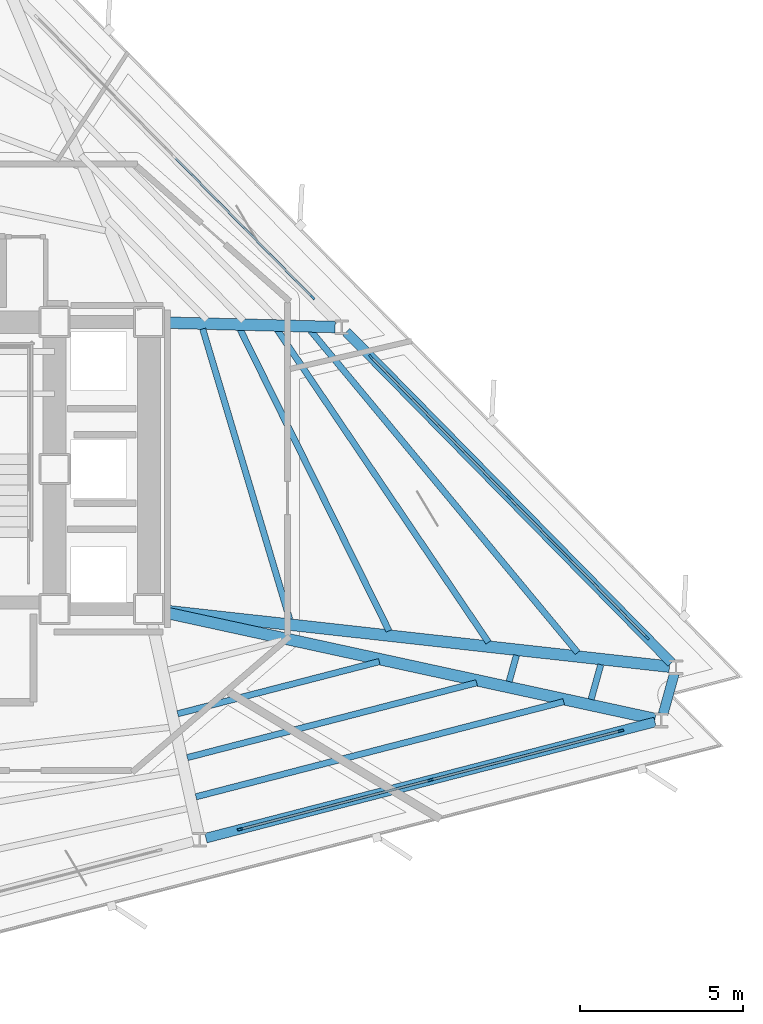
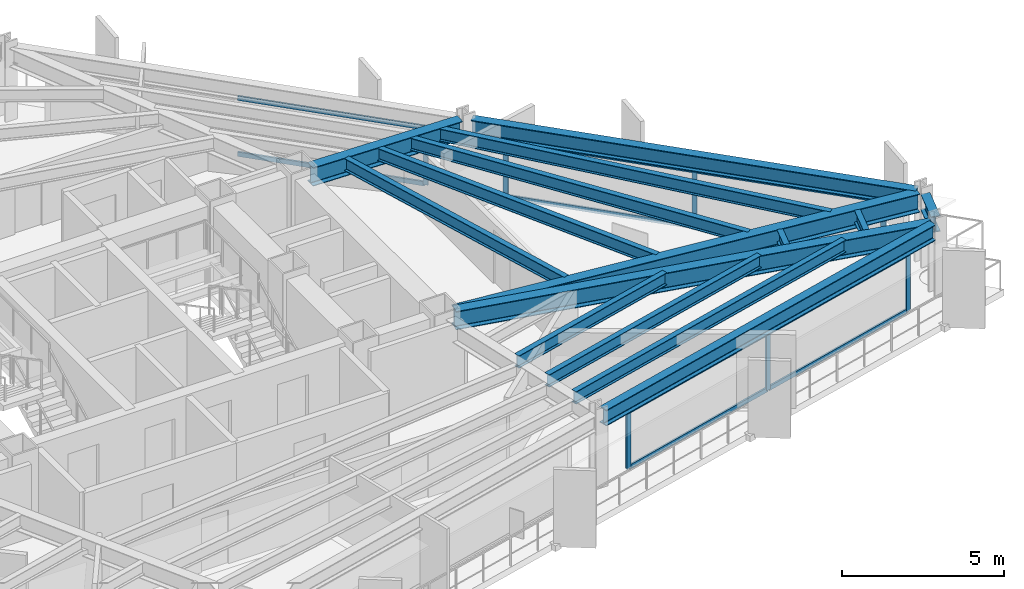
# One storey, part 4 of 11: 17 members, 15 beams, 3 elements without a shape of their own.
"""IFC4 building model written with IfcOpenShell, lengths in metres."""

from ifc_helpers import new_model, si_unit, direction, frame, origin, origin_2d, place, context, subcontext, project, spatial, rectangle, i_section, extrude, material, layer, layer_set, material_profile, profile_set, type_object, element, aggregate, save


model = new_model("IFC4")

# Units and contexts
model_context = context("Model", 3, precision=1e-05, world=origin(), true_north=direction((0.0, 1.0)))
body_context = subcontext(model_context, "Body", "Model", "MODEL_VIEW")
ifc_project = project(units=[si_unit("LENGTHUNIT", "METRE"), si_unit("AREAUNIT", "SQUARE_METRE"), si_unit("VOLUMEUNIT", "CUBIC_METRE"), si_unit("PLANEANGLEUNIT", "RADIAN"), si_unit("MASSUNIT", "GRAM", prefix="KILO")], contexts=[model_context])

# Site, building, storey
site_placement = place(None, origin())
site = spatial("IfcSite", under=ifc_project, at=site_placement, CompositionType="ELEMENT")
building_placement = place(site_placement, origin())
building = spatial("IfcBuilding", under=site, at=building_placement, Name="Rocaltana Carrier Exchange", CompositionType="ELEMENT")
storey_placement = place(building_placement, frame((0.0, 0.0, 82.56005859375)))
storey = spatial("IfcBuildingStorey", under=building, at=storey_placement, Name="L25", CompositionType="ELEMENT", Elevation=82.56005859375)

# Curtain wall, members
ifc_material_1 = material(Name="Aluminium 6063-T6", Category="aluminium")
ifc_layer = layer(ifc_material_1, 0.1650390625)
ifc_layer_set = layer_set([ifc_layer], Name="Aluminium 6063-T6")
curtain_wall_type = type_object("IfcCurtainWallType", Name="Lower-Mid Stepped Curtain Wall CW-02", PredefinedType="NOTDEFINED", material=ifc_layer_set)
curtain_wall_1_placement = place(storey_placement, origin())
curtain_wall_1 = element("IfcCurtainWall", 1, at=curtain_wall_1_placement, inside=storey, type_object=curtain_wall_type, Name="L25 CW-02 Run CW-L25-F1S1", PredefinedType="NOTDEFINED")
ifc_material_2 = material(Name="Aluminium 6063-T6", Category="aluminium")
ifc_material_profile_1 = material_profile(ifc_material_2, rectangle(XDim=0.06494140625, YDim=0.1650390625, at=origin_2d()), Name="AL-65X165")
ifc_profile_set_1 = profile_set([ifc_material_profile_1], Name="Aluminium 6063-T6")
member_type_1 = type_object("IfcMemberType", Name="CW-02 Mullion AL-65X165", PredefinedType="MULLION", material=ifc_profile_set_1)
member_1_placement = place(storey_placement, frame((24.21875, -5.1767578125, 0.0), z_axis=(0.0, 0.0, 1.0), x_axis=(-0.713244767898, -0.700915045542, 0.0)))
member_1 = element("IfcMember", 2, at=member_1_placement, type_object=member_type_1, Name="CW-02 mullion 1", PredefinedType="MULLION", context=body_context, shape_type="SweptSolid", body=[
    extrude(rectangle(XDim=0.06494140625, YDim=0.1650390625, at=origin_2d()), origin(), (0.0, 0.0, 1.0), 2.16796875),
])
member_2_placement = place(storey_placement, frame((19.989501953125, -0.872802734375, 0.0), z_axis=(0.0, 0.0, 1.0), x_axis=(-0.713244767898, -0.700915045542, 0.0)))
member_2 = element("IfcMember", 3, at=member_2_placement, type_object=member_type_1, Name="CW-02 mullion 2", PredefinedType="MULLION", context=body_context, shape_type="SweptSolid", body=[
    extrude(rectangle(XDim=0.06494140625, YDim=0.1650390625, at=origin_2d()), origin(), (0.0, 0.0, 1.0), 2.16796875),
])
member_3_placement = place(storey_placement, frame((15.760009765625, 3.430908203125, 0.0), z_axis=(0.0, 0.0, 1.0), x_axis=(-0.713244767898, -0.700915045542, 0.0)))
member_3 = element("IfcMember", 4, at=member_3_placement, type_object=member_type_1, Name="CW-02 mullion 3", PredefinedType="MULLION", context=body_context, shape_type="SweptSolid", body=[
    extrude(rectangle(XDim=0.06494140625, YDim=0.1650390625, at=origin_2d()), origin(), (0.0, 0.0, 1.0), 2.16796875),
])

# Curtain wall, member
curtain_wall_2_placement = place(storey_placement, origin())
curtain_wall_2 = element("IfcCurtainWall", 5, at=curtain_wall_2_placement, inside=storey, type_object=curtain_wall_type, Name="L25 CW-02 Run CW-L25-F1S2", PredefinedType="NOTDEFINED")
member_4_placement = place(storey_placement, frame((13.962158203125, 5.260498046875, 0.0), z_axis=(0.0, 0.0, 1.0), x_axis=(-0.713244696676, -0.700915118017, 0.0)))
member_4 = element("IfcMember", 6, at=member_4_placement, type_object=member_type_1, Name="CW-02 mullion 1", PredefinedType="MULLION", context=body_context, shape_type="SweptSolid", body=[
    extrude(rectangle(XDim=0.06494140625, YDim=0.1650390625, at=origin_2d()), origin(), (0.0, 0.0, 1.0), 2.16796875),
])

# Curtain wall, members
curtain_wall_3_placement = place(storey_placement, origin())
curtain_wall_3 = element("IfcCurtainWall", 7, at=curtain_wall_3_placement, inside=storey, type_object=curtain_wall_type, Name="L25 CW-02 Run CW-L25-F3S3", PredefinedType="NOTDEFINED")
member_5_placement = place(storey_placement, frame((11.741943359375, -11.057861328125, 0.0), z_axis=(0.0, 0.0, 1.0), x_axis=(-0.250370035526, 0.96815021836, 0.0)))
member_5 = element("IfcMember", 8, at=member_5_placement, type_object=member_type_1, Name="CW-02 mullion 1", PredefinedType="MULLION", context=body_context, shape_type="SweptSolid", body=[
    extrude(rectangle(XDim=0.06494140625, YDim=0.1650390625, at=origin_2d()), origin(), (0.0, 0.0, 1.0), 2.16796875),
])
member_6_placement = place(storey_placement, frame((17.583740234375, -9.547119140625, 0.0), z_axis=(0.0, 0.0, 1.0), x_axis=(-0.250370035526, 0.96815021836, 0.0)))
member_6 = element("IfcMember", 9, at=member_6_placement, type_object=member_type_1, Name="CW-02 mullion 2", PredefinedType="MULLION", context=body_context, shape_type="SweptSolid", body=[
    extrude(rectangle(XDim=0.06494140625, YDim=0.1650390625, at=origin_2d()), origin(), (0.0, 0.0, 1.0), 2.16796875),
])
member_7_placement = place(storey_placement, frame((23.42578125, -8.036376953125, 0.0), z_axis=(0.0, 0.0, 1.0), x_axis=(-0.250370035526, 0.96815021836, 0.0)))
member_7 = element("IfcMember", 10, at=member_7_placement, type_object=member_type_1, Name="CW-02 mullion 3", PredefinedType="MULLION", context=body_context, shape_type="SweptSolid", body=[
    extrude(rectangle(XDim=0.06494140625, YDim=0.1650390625, at=origin_2d()), origin(), (0.0, 0.0, 1.0), 2.16796875),
])

# Member
ifc_material_3 = material(Name="Aluminium 6063-T6", Category="aluminium")
ifc_material_profile_2 = material_profile(ifc_material_3, rectangle(XDim=0.06494140625, YDim=0.1650390625, at=origin_2d()), Name="AL-65X165")
ifc_profile_set_2 = profile_set([ifc_material_profile_2], Name="Aluminium 6063-T6")
member_type_2 = type_object("IfcMemberType", Name="CW-02 Transom AL-65X165", PredefinedType="USERDEFINED", material=ifc_profile_set_2)
member_8_placement = place(storey_placement, frame((24.196044921875, -5.153564453125, 0.032470703125), z_axis=(-0.700903905011, 0.713255715673, 0.0), x_axis=(-0.713255715673, -0.700903905011, 0.0)))
member_8 = element("IfcMember", 11, at=member_8_placement, type_object=member_type_2, Name="CW-02 transom 1.1", ObjectType="TRANSOM", PredefinedType="USERDEFINED", context=body_context, shape_type="SweptSolid", body=[
    extrude(rectangle(XDim=0.06494140625, YDim=0.1650390625, at=origin_2d()), origin(), (0.0, 0.0, 1.0), 5.96923828125),
])

member_9_placement = place(storey_placement, frame((24.196044921875, -5.153564453125, 2.135498046875), z_axis=(-0.700903905011, 0.713255715673, 0.0), x_axis=(-0.713255715673, -0.700903905011, 0.0)))
member_9 = element("IfcMember", 12, at=member_9_placement, type_object=member_type_2, Name="CW-02 transom 1.2", ObjectType="TRANSOM", PredefinedType="USERDEFINED", context=body_context, shape_type="SweptSolid", body=[
    extrude(rectangle(XDim=0.06494140625, YDim=0.1650390625, at=origin_2d()), origin(), (0.0, 0.0, 1.0), 5.96923828125),
])

member_10_placement = place(storey_placement, frame((19.966552734375, -0.849609375, 0.032470703125), z_axis=(-0.700924352217, 0.713235621985, 0.0), x_axis=(-0.713235621985, -0.700924352217, 0.0)))
member_10 = element("IfcMember", 13, at=member_10_placement, type_object=member_type_2, Name="CW-02 transom 2.1", ObjectType="TRANSOM", PredefinedType="USERDEFINED", context=body_context, shape_type="SweptSolid", body=[
    extrude(rectangle(XDim=0.06494140625, YDim=0.1650390625, at=origin_2d()), origin(), (0.0, 0.0, 1.0), 5.968994140625),
])

member_11_placement = place(storey_placement, frame((19.966552734375, -0.849609375, 2.135498046875), z_axis=(-0.700924352217, 0.713235621985, 0.0), x_axis=(-0.713235621985, -0.700924352217, 0.0)))
member_11 = element("IfcMember", 14, at=member_11_placement, type_object=member_type_2, Name="CW-02 transom 2.2", ObjectType="TRANSOM", PredefinedType="USERDEFINED", context=body_context, shape_type="SweptSolid", body=[
    extrude(rectangle(XDim=0.06494140625, YDim=0.1650390625, at=origin_2d()), origin(), (0.0, 0.0, 1.0), 5.968994140625),
])

aggregate(curtain_wall_1, [member_1, member_2, member_3, member_8, member_9, member_10, member_11])

member_12_placement = place(storey_placement, frame((13.939453125, 5.28369140625, 0.032470703125), z_axis=(-0.700903905011, 0.713255715673, 0.0), x_axis=(-0.713255715673, -0.700903905011, 0.0)))
member_12 = element("IfcMember", 15, at=member_12_placement, type_object=member_type_2, Name="CW-02 transom 1.1", ObjectType="TRANSOM", PredefinedType="USERDEFINED", context=body_context, shape_type="SweptSolid", body=[
    extrude(rectangle(XDim=0.06494140625, YDim=0.1650390625, at=origin_2d()), origin(), (0.0, 0.0, 1.0), 5.96923828125),
])

member_13_placement = place(storey_placement, frame((13.939453125, 5.28369140625, 2.135498046875), z_axis=(-0.700903905011, 0.713255715673, 0.0), x_axis=(-0.713255715673, -0.700903905011, 0.0)))
member_13 = element("IfcMember", 16, at=member_13_placement, type_object=member_type_2, Name="CW-02 transom 1.2", ObjectType="TRANSOM", PredefinedType="USERDEFINED", context=body_context, shape_type="SweptSolid", body=[
    extrude(rectangle(XDim=0.06494140625, YDim=0.1650390625, at=origin_2d()), origin(), (0.0, 0.0, 1.0), 5.96923828125),
])

aggregate(curtain_wall_2, [member_4, member_12, member_13])

member_14_placement = place(storey_placement, frame((11.7734375, -11.0498046875, 0.032470703125), z_axis=(0.968142466864, 0.250400007695, 0.0), x_axis=(-0.250400007695, 0.968142466864, 0.0)))
member_14 = element("IfcMember", 17, at=member_14_placement, type_object=member_type_2, Name="CW-02 transom 1.1", ObjectType="TRANSOM", PredefinedType="USERDEFINED", context=body_context, shape_type="SweptSolid", body=[
    extrude(rectangle(XDim=0.06494140625, YDim=0.1650390625, at=origin_2d()), origin(), (0.0, 0.0, 1.0), 5.968994140625),
])

member_15_placement = place(storey_placement, frame((11.7734375, -11.0498046875, 2.135498046875), z_axis=(0.968142466864, 0.250400007695, 0.0), x_axis=(-0.250400007695, 0.968142466864, 0.0)))
member_15 = element("IfcMember", 18, at=member_15_placement, type_object=member_type_2, Name="CW-02 transom 1.2", ObjectType="TRANSOM", PredefinedType="USERDEFINED", context=body_context, shape_type="SweptSolid", body=[
    extrude(rectangle(XDim=0.06494140625, YDim=0.1650390625, at=origin_2d()), origin(), (0.0, 0.0, 1.0), 5.968994140625),
])

member_16_placement = place(storey_placement, frame((17.615234375, -9.5390625, 0.032470703125), z_axis=(0.968145031253, 0.250390092575, 0.0), x_axis=(-0.250390092575, 0.968145031253, 0.0)))
member_16 = element("IfcMember", 19, at=member_16_placement, type_object=member_type_2, Name="CW-02 transom 2.1", ObjectType="TRANSOM", PredefinedType="USERDEFINED", context=body_context, shape_type="SweptSolid", body=[
    extrude(rectangle(XDim=0.06494140625, YDim=0.1650390625, at=origin_2d()), origin(), (0.0, 0.0, 1.0), 5.96923828125),
])

member_17_placement = place(storey_placement, frame((17.615234375, -9.5390625, 2.135498046875), z_axis=(0.968145031253, 0.250390092575, 0.0), x_axis=(-0.250390092575, 0.968145031253, 0.0)))
member_17 = element("IfcMember", 20, at=member_17_placement, type_object=member_type_2, Name="CW-02 transom 2.2", ObjectType="TRANSOM", PredefinedType="USERDEFINED", context=body_context, shape_type="SweptSolid", body=[
    extrude(rectangle(XDim=0.06494140625, YDim=0.1650390625, at=origin_2d()), origin(), (0.0, 0.0, 1.0), 5.96923828125),
])

aggregate(curtain_wall_3, [member_5, member_6, member_7, member_14, member_15, member_16, member_17])

# Beams
ifc_material_4 = material(Name="Steel S355", Category="steel")
ifc_material_profile_3 = material_profile(ifc_material_4, i_section(OverallWidth=0.193115234375, OverallDepth=0.466064453125, WebThickness=0.011474609375, FlangeThickness=0.01904296875, FilletRadius=0.013916015625, at=origin_2d()), Name="W18X65")
ifc_profile_set_3 = profile_set([ifc_material_profile_3], Name="Steel S355")
beam_type_1 = type_object("IfcBeamType", Name="Floor Joist W18X65", PredefinedType="JOIST", material=ifc_profile_set_3)
beam_1_placement = place(storey_placement, frame((13.26611328125, -4.619384765625, 2.554931640625), z_axis=(-0.287034949518, 0.95792011032, 0.0), x_axis=(-0.95792011032, -0.287034949518, 0.0)))
element("IfcBeam", 21, at=beam_1_placement, inside=storey, type_object=beam_type_1, Name="FJ-L25-01-1", PredefinedType="JOIST", context=body_context, shape_type="SweptSolid", body=[
    extrude(i_section(OverallWidth=0.193115234375, OverallDepth=0.466064453125, WebThickness=0.011474609375, FlangeThickness=0.01904296875, FilletRadius=0.013916015625, at=origin_2d()), origin(), (0.0, 0.0, 1.0), 9.30517578125),
])
beam_2_placement = place(storey_placement, frame((16.311279296875, -4.97021484375, 2.554931640625), z_axis=(-0.442813915887, 0.89661353765, 0.0), x_axis=(-0.89661353765, -0.442813915887, 0.0)))
element("IfcBeam", 22, at=beam_2_placement, inside=storey, type_object=beam_type_1, Name="FJ-L25-01-2", PredefinedType="JOIST", context=body_context, shape_type="SweptSolid", body=[
    extrude(i_section(OverallWidth=0.193115234375, OverallDepth=0.466064453125, WebThickness=0.011474609375, FlangeThickness=0.01904296875, FilletRadius=0.013916015625, at=origin_2d()), origin(), (0.0, 0.0, 1.0), 10.311767578125),
])
beam_3_placement = place(storey_placement, frame((19.363037109375, -5.322509765625, 2.554931640625), z_axis=(-0.55996593104, 0.828515634177, 0.0), x_axis=(-0.828515634177, -0.55996593104, 0.0)))
element("IfcBeam", 23, at=beam_3_placement, inside=storey, type_object=beam_type_1, Name="FJ-L25-01-3", PredefinedType="JOIST", context=body_context, shape_type="SweptSolid", body=[
    extrude(i_section(OverallWidth=0.193115234375, OverallDepth=0.466064453125, WebThickness=0.011474609375, FlangeThickness=0.01904296875, FilletRadius=0.013916015625, at=origin_2d()), origin(), (0.0, 0.0, 1.0), 11.56298828125),
])
beam_4_placement = place(storey_placement, frame((22.097900390625, -5.636962890625, 2.554931640625), z_axis=(-0.638314973765, 0.769775288164, 0.0), x_axis=(-0.769775288164, -0.638314973765, 0.0)))
element("IfcBeam", 24, at=beam_4_placement, inside=storey, type_object=beam_type_1, Name="FJ-L25-01-4", PredefinedType="JOIST", context=body_context, shape_type="SweptSolid", body=[
    extrude(i_section(OverallWidth=0.193115234375, OverallDepth=0.466064453125, WebThickness=0.011474609375, FlangeThickness=0.01904296875, FilletRadius=0.013916015625, at=origin_2d()), origin(), (0.0, 0.0, 1.0), 12.832763671875),
])
beam_5_placement = place(storey_placement, frame((9.8291015625, -7.513427734375, 2.554931640625), z_axis=(0.968143557315, 0.250395791558, 0.0), x_axis=(-0.250395791558, 0.968143557315, 0.0)))
element("IfcBeam", 25, at=beam_5_placement, inside=storey, type_object=beam_type_1, Name="FJ-L25-11-2", PredefinedType="JOIST", context=body_context, shape_type="SweptSolid", body=[
    extrude(i_section(OverallWidth=0.193115234375, OverallDepth=0.466064453125, WebThickness=0.011474609375, FlangeThickness=0.01904296875, FilletRadius=0.013916015625, at=origin_2d()), origin(), (0.0, 0.0, 1.0), 6.388427734375),
])
beam_6_placement = place(storey_placement, frame((10.123779296875, -8.8583984375, 2.554931640625), z_axis=(0.968146466447, 0.250384543264, 0.0), x_axis=(-0.250384543264, 0.968146466447, 0.0)))
element("IfcBeam", 26, at=beam_6_placement, inside=storey, type_object=beam_type_1, Name="FJ-L25-11-3", PredefinedType="JOIST", context=body_context, shape_type="SweptSolid", body=[
    extrude(i_section(OverallWidth=0.193115234375, OverallDepth=0.466064453125, WebThickness=0.011474609375, FlangeThickness=0.01904296875, FilletRadius=0.013916015625, at=origin_2d()), origin(), (0.0, 0.0, 1.0), 9.16845703125),
])
beam_7_placement = place(storey_placement, frame((10.38720703125, -10.061767578125, 2.554931640625), z_axis=(0.968148049608, 0.250378421674, 0.0), x_axis=(-0.250378421674, 0.968148049608, 0.0)))
element("IfcBeam", 27, at=beam_7_placement, inside=storey, type_object=beam_type_1, Name="FJ-L25-11-4", PredefinedType="JOIST", context=body_context, shape_type="SweptSolid", body=[
    extrude(i_section(OverallWidth=0.193115234375, OverallDepth=0.466064453125, WebThickness=0.011474609375, FlangeThickness=0.01904296875, FilletRadius=0.013916015625, at=origin_2d()), origin(), (0.0, 0.0, 1.0), 11.65625),
])
beam_8_placement = place(storey_placement, frame((19.998046875, -6.525390625, 2.554931640625), z_axis=(0.267312721501, 0.96360983231, 0.0), x_axis=(-0.96360983231, 0.267312721501, 0.0)))
element("IfcBeam", 28, at=beam_8_placement, inside=storey, type_object=beam_type_1, Name="FJ-L25-12-3", PredefinedType="JOIST", context=body_context, shape_type="SweptSolid", body=[
    extrude(i_section(OverallWidth=0.193115234375, OverallDepth=0.466064453125, WebThickness=0.011474609375, FlangeThickness=0.01904296875, FilletRadius=0.013916015625, at=origin_2d()), origin(), (0.0, 0.0, 1.0), 0.836669921875),
])
beam_9_placement = place(storey_placement, frame((22.5126953125, -7.07177734375, 2.554931640625), z_axis=(0.267336435307, 0.963603253605, 0.0), x_axis=(-0.963603253605, 0.267336435307, 0.0)))
element("IfcBeam", 29, at=beam_9_placement, inside=storey, type_object=beam_type_1, Name="FJ-L25-12-4", PredefinedType="JOIST", context=body_context, shape_type="SweptSolid", body=[
    extrude(i_section(OverallWidth=0.193115234375, OverallDepth=0.466064453125, WebThickness=0.011474609375, FlangeThickness=0.01904296875, FilletRadius=0.013916015625, at=origin_2d()), origin(), (0.0, 0.0, 1.0), 1.10595703125),
])
ifc_material_5 = material(Name="Steel S355", Category="steel")
ifc_material_profile_4 = material_profile(ifc_material_5, i_section(OverallWidth=0.35498046875, OverallDepth=0.695068359375, WebThickness=0.015380859375, FlangeThickness=0.02490234375, FilletRadius=0.01806640625, at=origin_2d()), Name="W27X146")
ifc_profile_set_4 = profile_set([ifc_material_profile_4], Name="Steel S355")
beam_type_2 = type_object("IfcBeamType", Name="Radial Girder W27X146", PredefinedType="BEAM", material=ifc_profile_set_4)
beam_10_placement = place(storey_placement, frame((9.414306640625, -4.351318359375, 2.4404296875), z_axis=(0.993916139966, -0.110139487535, 0.0), x_axis=(0.110139487535, 0.993916139966, 0.0)))
element("IfcBeam", 30, at=beam_10_placement, inside=storey, type_object=beam_type_2, Name="RG-L25-01", PredefinedType="BEAM", context=body_context, shape_type="SweptSolid", body=[
    extrude(i_section(OverallWidth=0.35498046875, OverallDepth=0.695068359375, WebThickness=0.015380859375, FlangeThickness=0.02490234375, FilletRadius=0.01806640625, at=origin_2d()), origin(), (0.0, 0.0, 1.0), 15.5986328125),
])
beam_11_placement = place(storey_placement, frame((9.416748046875, 4.48779296875, 2.4404296875), z_axis=(0.99965902203, -0.026112059941, 0.0), x_axis=(0.026112059941, 0.99965902203, 0.0)))
element("IfcBeam", 31, at=beam_11_placement, inside=storey, type_object=beam_type_2, Name="RG-L25-02", PredefinedType="BEAM", context=body_context, shape_type="SweptSolid", body=[
    extrude(i_section(OverallWidth=0.35498046875, OverallDepth=0.695068359375, WebThickness=0.015380859375, FlangeThickness=0.02490234375, FilletRadius=0.01806640625, at=origin_2d()), origin(), (0.0, 0.0, 1.0), 5.2451171875),
])
beam_12_placement = place(storey_placement, frame((9.406494140625, -4.399169921875, 2.4404296875), z_axis=(0.977195798541, -0.21234022538, 0.0), x_axis=(0.21234022538, 0.977195798541, 0.0)))
element("IfcBeam", 32, at=beam_12_placement, inside=storey, type_object=beam_type_2, Name="RG-L25-12", PredefinedType="BEAM", context=body_context, shape_type="SweptSolid", body=[
    extrude(i_section(OverallWidth=0.35498046875, OverallDepth=0.695068359375, WebThickness=0.015380859375, FlangeThickness=0.02490234375, FilletRadius=0.01806640625, at=origin_2d()), origin(), (0.0, 0.0, 1.0), 15.416015625),
])
ifc_material_6 = material(Name="Steel S355", Category="steel")
ifc_material_profile_5 = material_profile(ifc_material_6, i_section(OverallWidth=0.300048828125, OverallDepth=0.60009765625, WebThickness=0.015380859375, FlangeThickness=0.030029296875, FilletRadius=0.027099609375, at=origin_2d()), Name="HEB600")
ifc_profile_set_5 = profile_set([ifc_material_profile_5], Name="Steel S355")
beam_type_3 = type_object("IfcBeamType", Name="Spandrel Edge Beam HEB600", PredefinedType="SPANDREL", material=ifc_profile_set_5)
beam_13_placement = place(storey_placement, frame((24.976806640625, -5.947998046875, 2.488037109375), z_axis=(-0.700912568361, 0.713247202247, 0.0), x_axis=(-0.713247202247, -0.700912568361, 0.0)))
element("IfcBeam", 33, at=beam_13_placement, inside=storey, type_object=beam_type_3, Name="SP-L25-01", PredefinedType="SPANDREL", context=body_context, shape_type="SweptSolid", body=[
    extrude(i_section(OverallWidth=0.300048828125, OverallDepth=0.60009765625, WebThickness=0.015380859375, FlangeThickness=0.030029296875, FilletRadius=0.027099609375, at=origin_2d()), origin(), (0.0, 0.0, 1.0), 14.231201171875),
])
beam_14_placement = place(storey_placement, frame((10.69482421875, -11.32861328125, 2.488037109375), z_axis=(0.968147987083, 0.250378663444, 0.0), x_axis=(-0.250378663444, 0.968147987083, 0.0)))
element("IfcBeam", 34, at=beam_14_placement, inside=storey, type_object=beam_type_3, Name="SP-L25-11", PredefinedType="SPANDREL", context=body_context, shape_type="SweptSolid", body=[
    extrude(i_section(OverallWidth=0.300048828125, OverallDepth=0.60009765625, WebThickness=0.015380859375, FlangeThickness=0.030029296875, FilletRadius=0.027099609375, at=origin_2d()), origin(), (0.0, 0.0, 1.0), 14.2314453125),
])
beam_15_placement = place(storey_placement, frame((24.72119140625, -7.521484375, 2.488037109375), z_axis=(0.267172731541, 0.963648655642, 0.0), x_axis=(-0.963648655642, 0.267172731541, 0.0)))
element("IfcBeam", 35, at=beam_15_placement, inside=storey, type_object=beam_type_3, Name="SP-L25-12", PredefinedType="SPANDREL", context=body_context, shape_type="SweptSolid", body=[
    extrude(i_section(OverallWidth=0.300048828125, OverallDepth=0.60009765625, WebThickness=0.015380859375, FlangeThickness=0.030029296875, FilletRadius=0.027099609375, at=origin_2d()), origin(), (0.0, 0.0, 1.0), 1.282958984375),
])

save(model, "model.ifc")
